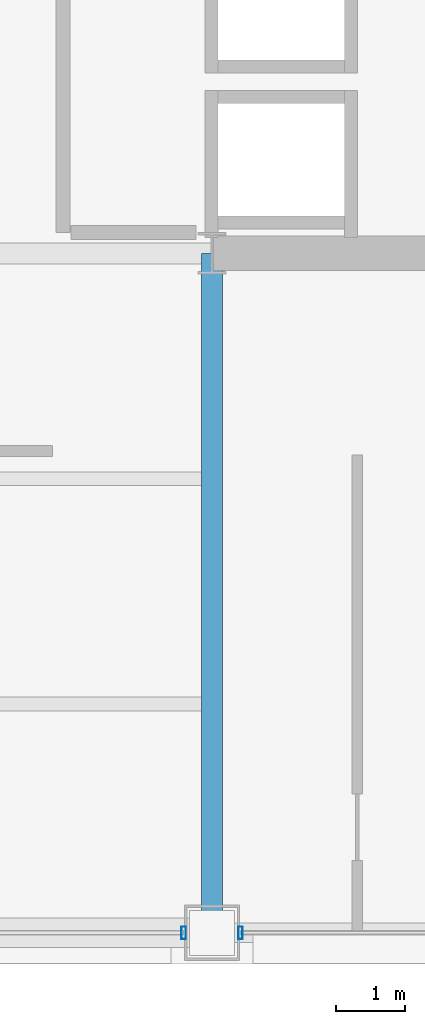
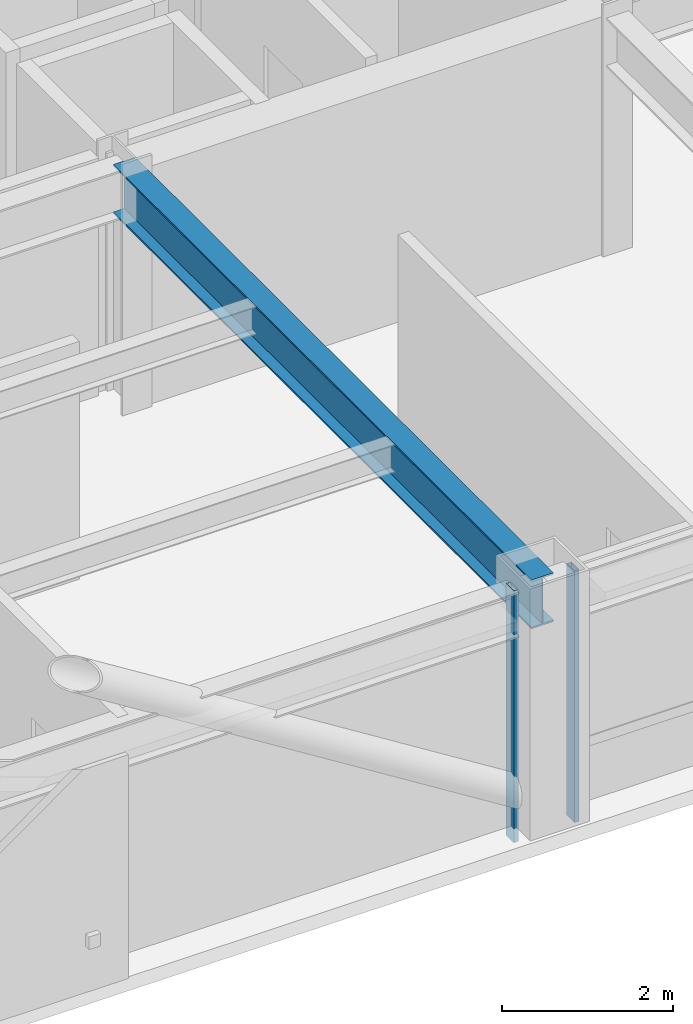
# One storey, part 7 of 33: 2 members, 1 beam, 2 elements without a shape of their own.
"""IFC4 building model written with IfcOpenShell, lengths in metres."""

from ifc_helpers import new_model, si_unit, direction, frame, origin, origin_2d, place, context, subcontext, project, spatial, hollow_rectangle, i_section, extrude, material, layer, layer_set, material_profile, profile_set, type_object, element, aggregate, save


model = new_model("IFC4")

# Units and contexts
model_context = context("Model", 3, precision=1e-05, world=origin(), true_north=direction((0.0, 1.0)))
body_context = subcontext(model_context, "Body", "Model", "MODEL_VIEW")
ifc_project = project(units=[si_unit("LENGTHUNIT", "METRE"), si_unit("AREAUNIT", "SQUARE_METRE"), si_unit("VOLUMEUNIT", "CUBIC_METRE"), si_unit("PLANEANGLEUNIT", "RADIAN"), si_unit("MASSUNIT", "GRAM", prefix="KILO")], contexts=[model_context])

# Site, building, storey
site_placement = place(None, origin())
site = spatial("IfcSite", under=ifc_project, at=site_placement, CompositionType="ELEMENT")
building_placement = place(site_placement, origin())
building = spatial("IfcBuilding", under=site, at=building_placement, Name="Brelmoor Portico Tower", CompositionType="ELEMENT")
storey_placement = place(building_placement, frame((0.0, 0.0, 120.60009765625)))
storey = spatial("IfcBuildingStorey", under=building, at=storey_placement, Name="L31", CompositionType="ELEMENT", Elevation=120.60009765625)

# Beam
ifc_material_1 = material(Name="Steel Q355B", Category="steel")
ifc_material_profile_1 = material_profile(ifc_material_1, i_section(OverallWidth=0.300048828125, OverallDepth=0.699951171875, WebThickness=0.012939453125, FlangeThickness=0.02392578125, at=origin_2d()), Name="HN 700x300x13x24")
ifc_profile_set_1 = profile_set([ifc_material_profile_1], Name="Steel Q355B")
beam_type = type_object("IfcBeamType", Name="BM-PG-700", PredefinedType="BEAM", material=ifc_profile_set_1)
beam_placement = place(storey_placement, frame((8.050048828125, -19.550048828125, 3.0498046875), z_axis=(0.0, 1.0, 0.0), x_axis=(-1.0, 0.0, 0.0)))
element("IfcBeam", 1, at=beam_placement, inside=storey, type_object=beam_type, Name="L31 Primary Floor Girder PG-08", PredefinedType="BEAM", context=body_context, shape_type="SweptSolid", body=[
    extrude(i_section(OverallWidth=0.300048828125, OverallDepth=0.699951171875, WebThickness=0.012939453125, FlangeThickness=0.02392578125, at=origin_2d()), origin(), (0.0, 0.0, 1.0), 9.800048828125),
])

# Curtain wall, member
ifc_material_2 = material(Name="Anodised Aluminium Alloy 6063-T6", Category="aluminium")
ifc_layer_1 = layer(ifc_material_2, 0.179931640625)
ifc_layer_set_1 = layer_set([ifc_layer_1], Name="Anodised Aluminium Alloy 6063-T6")
curtain_wall_type_1 = type_object("IfcCurtainWallType", Name="CW-TOWER-Z2-XB", PredefinedType="NOTDEFINED", material=ifc_layer_set_1)
curtain_wall_1_placement = place(storey_placement, origin())
curtain_wall_1 = element("IfcCurtainWall", 2, at=curtain_wall_1_placement, inside=storey, type_object=curtain_wall_type_1, Name="L31 Curtain Wall CW-L31-01-3", PredefinedType="NOTDEFINED")
ifc_material_profile_2 = material_profile(ifc_material_2, hollow_rectangle(XDim=0.06494140625, YDim=0.179931640625, WallThickness=0.00390625, at=origin_2d()), Name="ALU MULLION 65x180")
ifc_profile_set_2 = profile_set([ifc_material_profile_2], Name="Anodised Aluminium Alloy 6063-T6")
member_type = type_object("IfcMemberType", Name="MB-CW-MULL-180", PredefinedType="MULLION", material=ifc_profile_set_2)
member_1_placement = place(storey_placement, frame((7.639892578125, -19.550048828125, -0.2001953125), z_axis=(0.0, 0.0, 1.0), x_axis=(1.0, 0.0, 0.0)))
member_1 = element("IfcMember", 3, at=member_1_placement, type_object=member_type, Name="CW-L31-01-3 Mullion 01", PredefinedType="MULLION", context=body_context, shape_type="SweptSolid", body=[
    extrude(hollow_rectangle(XDim=0.06494140625, YDim=0.179931640625, WallThickness=0.00390625, at=origin_2d()), origin(), (0.0, 0.0, 1.0), 3.60009765625),
])
aggregate(curtain_wall_1, [member_1])

ifc_layer_2 = layer(ifc_material_2, 0.179931640625)
ifc_layer_set_2 = layer_set([ifc_layer_2], Name="Anodised Aluminium Alloy 6063-T6")
curtain_wall_type_2 = type_object("IfcCurtainWallType", Name="CW-TOWER-Z2", PredefinedType="NOTDEFINED", material=ifc_layer_set_2)
curtain_wall_2_placement = place(storey_placement, origin())
curtain_wall_2 = element("IfcCurtainWall", 4, at=curtain_wall_2_placement, inside=storey, type_object=curtain_wall_type_2, Name="L31 Curtain Wall CW-L31-01-4", PredefinedType="NOTDEFINED")
member_2_placement = place(storey_placement, frame((8.4599609375, -19.550048828125, -0.2001953125), z_axis=(0.0, 0.0, 1.0), x_axis=(1.0, 0.0, 0.0)))
member_2 = element("IfcMember", 5, at=member_2_placement, type_object=member_type, Name="CW-L31-01-4 Mullion 00", PredefinedType="MULLION", context=body_context, shape_type="SweptSolid", body=[
    extrude(hollow_rectangle(XDim=0.06494140625, YDim=0.179931640625, WallThickness=0.00390625, at=origin_2d()), origin(), (0.0, 0.0, 1.0), 3.60009765625),
])
aggregate(curtain_wall_2, [member_2])

save(model, "model.ifc")
